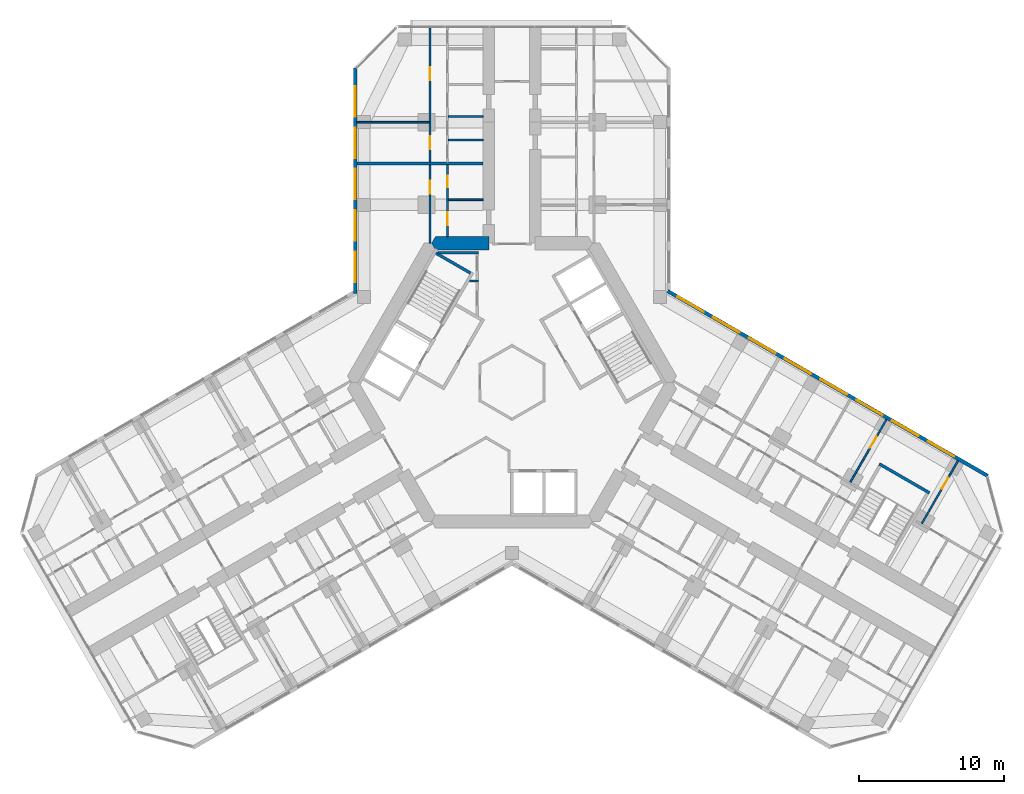
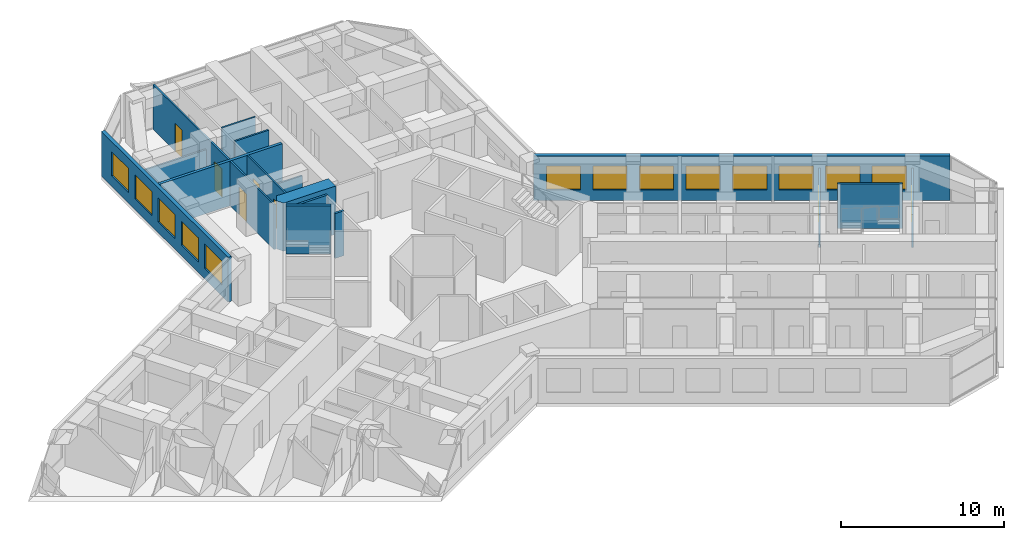
# One storey, part 16 of 19: 17 walls, 13 windows, 7 doors, 20 openings.
"""IFC4 building model written with IfcOpenShell, lengths in metres."""

from ifc_helpers import new_model, si_unit, direction, frame, frame_2d, origin, place, context, subcontext, project, spatial, polyline, rectangle, outline, extrude, material, layer, layer_set, type_object, element, fill, save


model = new_model("IFC4")

# Units and contexts
model_context = context("Model", 3, precision=1e-05, world=origin(), true_north=direction((0.0, 1.0)))
body_context = subcontext(model_context, "Body", "Model", "MODEL_VIEW")
ifc_project = project(units=[si_unit("LENGTHUNIT", "METRE"), si_unit("AREAUNIT", "SQUARE_METRE"), si_unit("VOLUMEUNIT", "CUBIC_METRE"), si_unit("PLANEANGLEUNIT", "RADIAN"), si_unit("MASSUNIT", "GRAM", prefix="KILO")], contexts=[model_context])

# Site, building, storey
site_placement = place(None, origin())
site = spatial("IfcSite", under=ifc_project, at=site_placement, CompositionType="ELEMENT")
building_placement = place(site_placement, origin())
building = spatial("IfcBuilding", under=site, at=building_placement, Name="Kosmar Iwan School Tower", CompositionType="ELEMENT")
storey_placement = place(building_placement, frame((0.0, 0.0, 138.199951171875)))
storey = spatial("IfcBuildingStorey", under=building, at=storey_placement, Name="L34", CompositionType="ELEMENT", Elevation=138.199951171875)

# Walls
ifc_material_1 = material(Name="Gypsum board on steel studs, fire-rated", Category="steel")
ifc_layer_1 = layer(ifc_material_1, 0.14990234375)
ifc_layer_set_1 = layer_set([ifc_layer_1], Name="Core room partition 150")
wall_type_1 = type_object("IfcWallType", Name="Core room partition 150", PredefinedType="PARTITIONING", material=ifc_layer_set_1)
wall_1_placement = place(storey_placement, frame((-2.324951171875, 6.985107421875, 0.0), z_axis=(0.0, 0.0, 1.0), x_axis=(-1.0, 0.0, 0.0)))
element("IfcWall", 1, at=wall_1_placement, inside=storey, type_object=wall_type_1, Name="Core room partition L34-CW2", PredefinedType="PARTITIONING", context=body_context, shape_type="SweptSolid", body=[
    extrude(rectangle(XDim=0.623779296875, YDim=0.14990234375, at=frame_2d((0.31201171875, 0.0))), origin(), (0.0, 0.0, 1.0), 3.35009765625),
])
wall_2_placement = place(storey_placement, frame((-5.089599609375, 8.93994140625, 0.0), z_axis=(0.0, 0.0, 1.0), x_axis=(1.0, 0.0, 0.0)))
element("IfcWall", 2, at=wall_2_placement, inside=storey, type_object=wall_type_1, Name="Core room partition L34-CW3", PredefinedType="PARTITIONING", context=body_context, shape_type="SweptSolid", body=[
    extrude(rectangle(XDim=2.7646484375, YDim=0.14990234375, at=frame_2d((1.38232421875, 0.0))), origin(), (0.0, 0.0, 1.0), 3.35009765625),
])
ifc_material_2 = material(Name="Concrete C50/60", Category="concrete")
ifc_layer_2 = layer(ifc_material_2, 0.89990234375)
ifc_layer_set_2 = layer_set([ifc_layer_2], Name="Core wall 900")
wall_type_2 = type_object("IfcWallType", Name="Core wall 900", PredefinedType="SHEAR", material=ifc_layer_set_2)
wall_3_placement = place(storey_placement, origin())
element("IfcWall", 3, at=wall_3_placement, inside=storey, type_object=wall_type_2, Name="Core wall F090b", PredefinedType="SHEAR", context=body_context, shape_type="SweptSolid", body=[
    extrude(outline(polyline([(-5.28271484375, 9.14990234375), (-1.60009765625, 9.14990234375), (-1.60009765625, 10.050048828125), (-5.28271484375, 10.050048828125), (-5.54248046875, 9.60009765625), (-5.28271484375, 9.14990234375)])), origin(), (0.0, 0.0, 1.0), 3.60009765625),
])

# Wall, openings, doors
ifc_material_3 = material(Name="Gypsum board on steel studs", Category="steel")
ifc_layer_3 = layer(ifc_material_3, 0.1201171875)
ifc_layer_set_3 = layer_set([ifc_layer_3], Name="Dwelling partition 120")
wall_type_3 = type_object("IfcWallType", Name="Dwelling partition 120", PredefinedType="PARTITIONING", material=ifc_layer_set_3)
wall_4_placement = place(storey_placement, frame((-4.449951171875, 10.050048828125, 0.0), z_axis=(0.0, 0.0, 1.0), x_axis=(0.0, 1.0, 0.0)))
wall_4 = element("IfcWall", 4, at=wall_4_placement, inside=storey, type_object=wall_type_3, Name="Partition L34-AL1-W1", PredefinedType="PARTITIONING", context=body_context, shape_type="SweptSolid", body=[
    extrude(rectangle(XDim=4.949951171875, YDim=0.1201171875, at=frame_2d((2.47509765625, 0.0))), origin(), (0.0, 0.0, 1.0), 3.35009765625),
])
opening_1_placement = place(wall_4_placement, frame((0.800048828125, 0.0, 0.0)))
opening_1 = element("IfcOpeningElement", 5, at=opening_1_placement, cuts=wall_4, Name="Opening D2", PredefinedType="OPENING", context=body_context, shape_type="SweptSolid", body=[
    extrude(rectangle(XDim=0.89990234375, YDim=2.10009765625, at=frame_2d((0.449951171875, 1.050048828125))), frame((0.0, 0.072021484375, 0.0), z_axis=(0.0, -1.0, 0.0), x_axis=(1.0, 0.0, 0.0)), (0.0, 0.0, 1.0), 0.14404296875),
])
opening_2_placement = place(wall_4_placement, frame((3.39990234375, 0.0, 0.0)))
opening_2 = element("IfcOpeningElement", 6, at=opening_2_placement, cuts=wall_4, Name="Opening D3", PredefinedType="OPENING", context=body_context, shape_type="SweptSolid", body=[
    extrude(rectangle(XDim=0.800048828125, YDim=2.10009765625, at=frame_2d((0.39990234375, 1.050048828125))), frame((0.0, 0.072021484375, 0.0), z_axis=(0.0, -1.0, 0.0), x_axis=(1.0, 0.0, 0.0)), (0.0, 0.0, 1.0), 0.14404296875),
])
ifc_material_4 = material(Name="Timber door in timber frame", Category="wood")
door_type_1 = type_object("IfcDoorType", Name="Internal door 900x2100", OperationType="SINGLE_SWING_LEFT", PredefinedType="DOOR", material=ifc_material_4)
door_1_placement = place(opening_1_placement, origin())
door_1 = element("IfcDoor", 7, at=door_1_placement, inside=storey, type_object=door_type_1, Name="Entrance hall door L34-AL1-S1", OperationType="SINGLE_SWING_LEFT", OverallHeight=2.10009765625, OverallWidth=0.89990234375, PredefinedType="DOOR", context=body_context, shape_type="SweptSolid", body=[
    extrude(rectangle(XDim=0.89990234375, YDim=2.10009765625, at=frame_2d((0.449951171875, 1.050048828125))), frame((0.0, 0.02490234375, 0.0), z_axis=(0.0, -1.0, 0.0), x_axis=(1.0, 0.0, 0.0)), (0.0, 0.0, 1.0), 0.050048828125),
])
fill(opening_1, door_1)
ifc_material_5 = material(Name="Timber door in timber frame", Category="wood")
door_type_2 = type_object("IfcDoorType", Name="Sanitary room door 800x2100", OperationType="SINGLE_SWING_LEFT", PredefinedType="DOOR", material=ifc_material_5)
door_2_placement = place(opening_2_placement, origin())
door_2 = element("IfcDoor", 8, at=door_2_placement, inside=storey, type_object=door_type_2, Name="Bathroom door L34-AL1-S2", OperationType="SINGLE_SWING_RIGHT", OverallHeight=2.10009765625, OverallWidth=0.800048828125, PredefinedType="DOOR", context=body_context, shape_type="SweptSolid", body=[
    extrude(rectangle(XDim=0.800048828125, YDim=2.10009765625, at=frame_2d((0.39990234375, 1.050048828125))), frame((0.0, 0.02490234375, 0.0), z_axis=(0.0, -1.0, 0.0), x_axis=(1.0, 0.0, 0.0)), (0.0, 0.0, 1.0), 0.050048828125),
])
fill(opening_2, door_2)

# Wall, opening, door
wall_5_placement = place(storey_placement, frame((-5.64990234375, 9.60009765625, 0.0), z_axis=(0.0, 0.0, 1.0), x_axis=(0.0, 1.0, 0.0)))
wall_5 = element("IfcWall", 9, at=wall_5_placement, inside=storey, type_object=wall_type_3, Name="Partition L34-AL1-W2", PredefinedType="PARTITIONING", context=body_context, shape_type="SweptSolid", body=[
    extrude(rectangle(XDim=5.39990234375, YDim=0.1201171875, at=frame_2d((2.699951171875, 0.0))), origin(), (0.0, 0.0, 1.0), 3.35009765625),
])
opening_3_placement = place(wall_5_placement, frame((3.39990234375, 0.0, 0.0)))
opening_3 = element("IfcOpeningElement", 10, at=opening_3_placement, cuts=wall_5, Name="Opening D2", PredefinedType="OPENING", context=body_context, shape_type="SweptSolid", body=[
    extrude(rectangle(XDim=0.89990234375, YDim=2.10009765625, at=frame_2d((0.449951171875, 1.050048828125))), frame((0.0, 0.072021484375, 0.0), z_axis=(0.0, -1.0, 0.0), x_axis=(1.0, 0.0, 0.0)), (0.0, 0.0, 1.0), 0.14404296875),
])
door_3_placement = place(opening_3_placement, origin())
door_3 = element("IfcDoor", 11, at=door_3_placement, inside=storey, type_object=door_type_1, Name="Studio living room and kitchen door L34-AL1-F1", OperationType="SINGLE_SWING_RIGHT", OverallHeight=2.10009765625, OverallWidth=0.89990234375, PredefinedType="DOOR", context=body_context, shape_type="SweptSolid", body=[
    extrude(rectangle(XDim=0.89990234375, YDim=2.10009765625, at=frame_2d((0.449951171875, 1.050048828125))), frame((0.0, 0.02490234375, 0.0), z_axis=(0.0, -1.0, 0.0), x_axis=(1.0, 0.0, 0.0)), (0.0, 0.0, 1.0), 0.050048828125),
])
fill(opening_3, door_3)

# Wall
wall_6_placement = place(storey_placement, frame((-2.0, 12.60009765625, 0.0), z_axis=(0.0, 0.0, 1.0), x_axis=(-1.0, 0.0, 0.0)))
element("IfcWall", 12, at=wall_6_placement, inside=storey, type_object=wall_type_3, Name="Partition L34-AL1-Y1", PredefinedType="PARTITIONING", context=body_context, shape_type="SweptSolid", body=[
    extrude(rectangle(XDim=2.389892578125, YDim=0.1201171875, at=frame_2d((1.19482421875, 0.0))), origin(), (0.0, 0.0, 1.0), 2.449951171875),
])

# Wall, openings, doors
wall_7_placement = place(storey_placement, frame((-5.64990234375, 15.199951171875, 0.0), z_axis=(0.0, 0.0, 1.0), x_axis=(0.0, 1.0, 0.0)))
wall_7 = element("IfcWall", 13, at=wall_7_placement, inside=storey, type_object=wall_type_3, Name="Partition L34-AL2-W2", PredefinedType="PARTITIONING", context=body_context, shape_type="SweptSolid", body=[
    extrude(rectangle(XDim=9.2451171875, YDim=0.1201171875, at=frame_2d((4.62255859375, 0.0))), origin(), (0.0, 0.0, 1.0), 3.35009765625),
])
opening_4_placement = place(wall_7_placement, frame((0.875, 0.0, 0.0)))
opening_4 = element("IfcOpeningElement", 14, at=opening_4_placement, cuts=wall_7, Name="Opening D2", PredefinedType="OPENING", context=body_context, shape_type="SweptSolid", body=[
    extrude(rectangle(XDim=0.89990234375, YDim=2.10009765625, at=frame_2d((0.449951171875, 1.050048828125))), frame((0.0, 0.072021484375, 0.0), z_axis=(0.0, -1.0, 0.0), x_axis=(1.0, 0.0, 0.0)), (0.0, 0.0, 1.0), 0.14404296875),
])
opening_5_placement = place(wall_7_placement, frame((5.64990234375, 0.0, 0.0)))
opening_5 = element("IfcOpeningElement", 15, at=opening_5_placement, cuts=wall_7, Name="Opening D2", PredefinedType="OPENING", context=body_context, shape_type="SweptSolid", body=[
    extrude(rectangle(XDim=0.89990234375, YDim=2.10009765625, at=frame_2d((0.449951171875, 1.050048828125))), frame((0.0, 0.072021484375, 0.0), z_axis=(0.0, -1.0, 0.0), x_axis=(1.0, 0.0, 0.0)), (0.0, 0.0, 1.0), 0.14404296875),
])
door_4_placement = place(opening_4_placement, origin())
door_4 = element("IfcDoor", 16, at=door_4_placement, inside=storey, type_object=door_type_1, Name="Bedroom 1 door L34-AL2-F1", OperationType="SINGLE_SWING_RIGHT", OverallHeight=2.10009765625, OverallWidth=0.89990234375, PredefinedType="DOOR", context=body_context, shape_type="SweptSolid", body=[
    extrude(rectangle(XDim=0.89990234375, YDim=2.10009765625, at=frame_2d((0.449951171875, 1.050048828125))), frame((0.0, 0.02490234375, 0.0), z_axis=(0.0, -1.0, 0.0), x_axis=(1.0, 0.0, 0.0)), (0.0, 0.0, 1.0), 0.050048828125),
])
fill(opening_4, door_4)
door_5_placement = place(opening_5_placement, origin())
door_5 = element("IfcDoor", 17, at=door_5_placement, inside=storey, type_object=door_type_1, Name="Family room and kitchen door L34-AL2-F2", OperationType="SINGLE_SWING_RIGHT", OverallHeight=2.10009765625, OverallWidth=0.89990234375, PredefinedType="DOOR", context=body_context, shape_type="SweptSolid", body=[
    extrude(rectangle(XDim=0.89990234375, YDim=2.10009765625, at=frame_2d((0.449951171875, 1.050048828125))), frame((0.0, 0.02490234375, 0.0), z_axis=(0.0, -1.0, 0.0), x_axis=(1.0, 0.0, 0.0)), (0.0, 0.0, 1.0), 0.050048828125),
])
fill(opening_5, door_5)

# Walls
wall_8_placement = place(storey_placement, frame((-5.7099609375, 17.949951171875, 0.0), z_axis=(0.0, 0.0, 1.0), x_axis=(-1.0, 0.0, 0.0)))
element("IfcWall", 18, at=wall_8_placement, inside=storey, type_object=wall_type_3, Name="Partition L34-AL2-X1", PredefinedType="PARTITIONING", context=body_context, shape_type="SweptSolid", body=[
    extrude(rectangle(XDim=4.989990234375, YDim=0.1201171875, at=frame_2d((2.4951171875, 0.0))), origin(), (0.0, 0.0, 1.0), 2.449951171875),
])
for number, where, z_axis, x_axis, name in (
    (19, (-2.0, 16.72509765625, 0.0), (0.0, 0.0, 1.0), (-1.0, 0.0, 0.0), "Partition L34-AL2-Y1"),
    (20, (-2.0, 18.35009765625, 0.0), (0.0, 0.0, 1.0), (-1.0, 0.0, 0.0), "Partition L34-AL2-Y2"),
):
    element("IfcWall", number, at=place(storey_placement, frame(where, z_axis=z_axis, x_axis=x_axis)), inside=storey, type_object=wall_type_3, Name=name, PredefinedType="PARTITIONING", context=body_context, shape_type="SweptSolid", body=[
        extrude(rectangle(XDim=2.389892578125, YDim=0.1201171875, at=frame_2d((1.19482421875, 0.0))), origin(), (0.0, 0.0, 1.0), 3.35009765625),
    ])

# Wall, opening, door
wall_9_placement = place(storey_placement, frame((23.33642578125, -6.8798828125, 0.0), z_axis=(0.0, 0.0, 1.0), x_axis=(0.500033033937, 0.866006330792, 0.0)))
wall_9 = element("IfcWall", 21, at=wall_9_placement, inside=storey, type_object=wall_type_3, Name="Partition L34-CL2-TB", PredefinedType="PARTITIONING", context=body_context, shape_type="SweptSolid", body=[
    extrude(rectangle(XDim=4.989990234375, YDim=0.1201171875, at=frame_2d((2.4951171875, 0.0))), origin(), (0.0, 0.0, 1.0), 2.449951171875),
])
opening_6_placement = place(wall_9_placement, frame((2.739990234375, 0.0, 0.0)))
opening_6 = element("IfcOpeningElement", 22, at=opening_6_placement, cuts=wall_9, Name="Opening D2", PredefinedType="OPENING", context=body_context, shape_type="SweptSolid", body=[
    extrude(rectangle(XDim=0.89990234375, YDim=2.10009765625, at=frame_2d((0.449951171875, 1.050048828125))), frame((0.0, 0.072021484375, 0.0), z_axis=(0.0, -1.0, 0.0), x_axis=(1.0, 0.0, 0.0)), (0.0, 0.0, 1.0), 0.14404296875),
])
door_6_placement = place(opening_6_placement, origin())
door_6 = element("IfcDoor", 23, at=door_6_placement, inside=storey, type_object=door_type_1, Name="Study door L34-CL2-F2", OperationType="SINGLE_SWING_RIGHT", OverallHeight=2.10009765625, OverallWidth=0.89990234375, PredefinedType="DOOR", context=body_context, shape_type="SweptSolid", body=[
    extrude(rectangle(XDim=0.89990234375, YDim=2.10009765625, at=frame_2d((0.449951171875, 1.050048828125))), frame((0.0, 0.02490234375, 0.0), z_axis=(0.0, -1.0, 0.0), x_axis=(1.0, 0.0, 0.0)), (0.0, 0.0, 1.0), 0.050048828125),
])
fill(opening_6, door_6)

wall_10_placement = place(storey_placement, frame((28.27294921875, -9.72998046875, 0.0), z_axis=(0.0, 0.0, 1.0), x_axis=(0.499975153383, 0.86603974851, 0.0)))
wall_10 = element("IfcWall", 24, at=wall_10_placement, inside=storey, type_object=wall_type_3, Name="Partition L34-CL2-TX", PredefinedType="PARTITIONING", context=body_context, shape_type="SweptSolid", body=[
    extrude(rectangle(XDim=4.989990234375, YDim=0.1201171875, at=frame_2d((2.4951171875, 0.0))), origin(), (0.0, 0.0, 1.0), 2.449951171875),
])
opening_7_placement = place(wall_10_placement, frame((2.739990234375, 0.0, 0.0)))
opening_7 = element("IfcOpeningElement", 25, at=opening_7_placement, cuts=wall_10, Name="Opening D2", PredefinedType="OPENING", context=body_context, shape_type="SweptSolid", body=[
    extrude(rectangle(XDim=0.89990234375, YDim=2.10009765625, at=frame_2d((0.449951171875, 1.050048828125))), frame((0.0, 0.072021484375, 0.0), z_axis=(0.0, -1.0, 0.0), x_axis=(1.0, 0.0, 0.0)), (0.0, 0.0, 1.0), 0.14404296875),
])
door_7_placement = place(opening_7_placement, origin())
door_7 = element("IfcDoor", 26, at=door_7_placement, inside=storey, type_object=door_type_1, Name="Study door L34-CL2-T1", OperationType="SINGLE_SWING_RIGHT", OverallHeight=2.10009765625, OverallWidth=0.89990234375, PredefinedType="DOOR", context=body_context, shape_type="SweptSolid", body=[
    extrude(rectangle(XDim=0.89990234375, YDim=2.10009765625, at=frame_2d((0.449951171875, 1.050048828125))), frame((0.0, 0.02490234375, 0.0), z_axis=(0.0, -1.0, 0.0), x_axis=(1.0, 0.0, 0.0)), (0.0, 0.0, 1.0), 0.050048828125),
])
fill(opening_7, door_7)

# Wall
ifc_material_6 = material(Name="Concrete C35/45", Category="concrete")
ifc_layer_4 = layer(ifc_material_6, 0.199951171875)
ifc_layer_set_4 = layer_set([ifc_layer_4], Name="Escape stair wall 200")
wall_type_4 = type_object("IfcWallType", Name="Escape stair wall 200", PredefinedType="SHEAR", material=ifc_layer_set_4)
wall_11_placement = place(storey_placement, frame((25.334228515625, -5.6201171875, 0.0), z_axis=(0.0, 0.0, 1.0), x_axis=(0.866026010844, -0.49999894854, 0.0)))
element("IfcWall", 27, at=wall_11_placement, inside=storey, type_object=wall_type_4, Name="Stair WS3 wall", PredefinedType="SHEAR", context=body_context, shape_type="SweptSolid", body=[
    extrude(rectangle(XDim=4.0, YDim=0.199951171875, at=frame_2d((2.0, 0.0))), origin(), (0.0, 0.0, 1.0), 3.330078125),
])

# Wall, openings, windows
ifc_material_7 = material(Name="Black aluminium rainscreen on insulated framing", Category="aluminium")
ifc_layer_5 = layer(ifc_material_7, 0.25)
ifc_layer_set_5 = layer_set([ifc_layer_5], Name="External wall rainscreen 250")
wall_type_5 = type_object("IfcWallType", Name="External wall rainscreen 250", PredefinedType="SOLIDWALL", material=ifc_layer_set_5)
wall_12_placement = place(storey_placement, frame((10.73681640625, 6.30078125, 0.0), z_axis=(0.0, 0.0, 1.0), x_axis=(0.866026390279, -0.499998291337, 0.0)))
wall_12 = element("IfcWall", 28, at=wall_12_placement, inside=storey, type_object=wall_type_5, Name="External wall CL L34", PredefinedType="SOLIDWALL", context=body_context, shape_type="SweptSolid", body=[
    extrude(rectangle(XDim=25.4873046875, YDim=0.25, at=frame_2d((12.74365234375, 0.0))), origin(), (0.0, 0.0, 1.0), 3.35009765625),
])
opening_8_placement = place(wall_12_placement, frame((0.777099609375, 0.0, 0.800048828125)))
opening_8 = element("IfcOpeningElement", 29, at=opening_8_placement, cuts=wall_12, Name="Opening W4", PredefinedType="OPENING", context=body_context, shape_type="SweptSolid", body=[
    extrude(rectangle(XDim=2.10009765625, YDim=1.800048828125, at=frame_2d((1.050048828125, 0.89990234375))), frame((0.0, 0.136962890625, 0.0), z_axis=(0.0, -1.0, 0.0), x_axis=(1.0, 0.0, 0.0)), (0.0, 0.0, 1.0), 0.27392578125),
])
opening_9_placement = place(wall_12_placement, frame((3.626953125, 0.0, 0.800048828125)))
opening_9 = element("IfcOpeningElement", 30, at=opening_9_placement, cuts=wall_12, Name="Opening W4", PredefinedType="OPENING", context=body_context, shape_type="SweptSolid", body=[
    extrude(rectangle(XDim=2.10009765625, YDim=1.800048828125, at=frame_2d((1.050048828125, 0.89990234375))), frame((0.0, 0.136962890625, 0.0), z_axis=(0.0, -1.0, 0.0), x_axis=(1.0, 0.0, 0.0)), (0.0, 0.0, 1.0), 0.27392578125),
])
opening_10_placement = place(wall_12_placement, frame((6.47705078125, 0.0, 0.800048828125)))
opening_10 = element("IfcOpeningElement", 31, at=opening_10_placement, cuts=wall_12, Name="Opening W4", PredefinedType="OPENING", context=body_context, shape_type="SweptSolid", body=[
    extrude(rectangle(XDim=2.10009765625, YDim=1.800048828125, at=frame_2d((1.050048828125, 0.89990234375))), frame((0.0, 0.136962890625, 0.0), z_axis=(0.0, -1.0, 0.0), x_axis=(1.0, 0.0, 0.0)), (0.0, 0.0, 1.0), 0.27392578125),
])
opening_11_placement = place(wall_12_placement, frame((9.326904296875, 0.0, 0.800048828125)))
opening_11 = element("IfcOpeningElement", 32, at=opening_11_placement, cuts=wall_12, Name="Opening W4", PredefinedType="OPENING", context=body_context, shape_type="SweptSolid", body=[
    extrude(rectangle(XDim=2.10009765625, YDim=1.800048828125, at=frame_2d((1.050048828125, 0.89990234375))), frame((0.0, 0.136962890625, 0.0), z_axis=(0.0, -1.0, 0.0), x_axis=(1.0, 0.0, 0.0)), (0.0, 0.0, 1.0), 0.27392578125),
])
opening_12_placement = place(wall_12_placement, frame((12.177001953125, 0.0, 0.800048828125)))
opening_12 = element("IfcOpeningElement", 33, at=opening_12_placement, cuts=wall_12, Name="Opening W4", PredefinedType="OPENING", context=body_context, shape_type="SweptSolid", body=[
    extrude(rectangle(XDim=2.10009765625, YDim=1.800048828125, at=frame_2d((1.050048828125, 0.89990234375))), frame((0.0, 0.136962890625, 0.0), z_axis=(0.0, -1.0, 0.0), x_axis=(1.0, 0.0, 0.0)), (0.0, 0.0, 1.0), 0.27392578125),
])
opening_13_placement = place(wall_12_placement, frame((15.027099609375, 0.0, 0.800048828125)))
opening_13 = element("IfcOpeningElement", 34, at=opening_13_placement, cuts=wall_12, Name="Opening W4", PredefinedType="OPENING", context=body_context, shape_type="SweptSolid", body=[
    extrude(rectangle(XDim=2.10009765625, YDim=1.800048828125, at=frame_2d((1.050048828125, 0.89990234375))), frame((0.0, 0.136962890625, 0.0), z_axis=(0.0, -1.0, 0.0), x_axis=(1.0, 0.0, 0.0)), (0.0, 0.0, 1.0), 0.27392578125),
])
opening_14_placement = place(wall_12_placement, frame((17.876953125, 0.0, 0.800048828125)))
opening_14 = element("IfcOpeningElement", 35, at=opening_14_placement, cuts=wall_12, Name="Opening W4", PredefinedType="OPENING", context=body_context, shape_type="SweptSolid", body=[
    extrude(rectangle(XDim=2.10009765625, YDim=1.800048828125, at=frame_2d((1.050048828125, 0.89990234375))), frame((0.0, 0.136962890625, 0.0), z_axis=(0.0, -1.0, 0.0), x_axis=(1.0, 0.0, 0.0)), (0.0, 0.0, 1.0), 0.27392578125),
])
opening_15_placement = place(wall_12_placement, frame((20.72705078125, 0.0, 0.800048828125)))
opening_15 = element("IfcOpeningElement", 36, at=opening_15_placement, cuts=wall_12, Name="Opening W4", PredefinedType="OPENING", context=body_context, shape_type="SweptSolid", body=[
    extrude(rectangle(XDim=2.10009765625, YDim=1.800048828125, at=frame_2d((1.050048828125, 0.89990234375))), frame((0.0, 0.136962890625, 0.0), z_axis=(0.0, -1.0, 0.0), x_axis=(1.0, 0.0, 0.0)), (0.0, 0.0, 1.0), 0.27392578125),
])
ifc_material_8 = material(Name="Black aluminium frame with dark triple glazing", Category="aluminium")
window_type = type_object("IfcWindowType", Name="Window 2100x1800", PartitioningType="SINGLE_PANEL", PredefinedType="WINDOW", material=ifc_material_8)
window_1_placement = place(opening_8_placement, origin())
window_1 = element("IfcWindow", 37, at=window_1_placement, inside=storey, type_object=window_type, Name="Window CL L34 -1", OverallHeight=1.800048828125, OverallWidth=2.10009765625, PartitioningType="SINGLE_PANEL", PredefinedType="WINDOW", context=body_context, shape_type="SweptSolid", body=[
    extrude(rectangle(XDim=2.10009765625, YDim=1.800048828125, at=frame_2d((1.050048828125, 0.89990234375))), frame((0.0, 0.030029296875, 0.0), z_axis=(0.0, -1.0, 0.0), x_axis=(1.0, 0.0, 0.0)), (0.0, 0.0, 1.0), 0.06005859375),
])
fill(opening_8, window_1)
window_2_placement = place(opening_9_placement, origin())
window_2 = element("IfcWindow", 38, at=window_2_placement, inside=storey, type_object=window_type, Name="Window CL L34 0", OverallHeight=1.800048828125, OverallWidth=2.10009765625, PartitioningType="SINGLE_PANEL", PredefinedType="WINDOW", context=body_context, shape_type="SweptSolid", body=[
    extrude(rectangle(XDim=2.10009765625, YDim=1.800048828125, at=frame_2d((1.050048828125, 0.89990234375))), frame((0.0, 0.030029296875, 0.0), z_axis=(0.0, -1.0, 0.0), x_axis=(1.0, 0.0, 0.0)), (0.0, 0.0, 1.0), 0.06005859375),
])
fill(opening_9, window_2)
window_3_placement = place(opening_10_placement, origin())
window_3 = element("IfcWindow", 39, at=window_3_placement, inside=storey, type_object=window_type, Name="Window CL L34 1", OverallHeight=1.800048828125, OverallWidth=2.10009765625, PartitioningType="SINGLE_PANEL", PredefinedType="WINDOW", context=body_context, shape_type="SweptSolid", body=[
    extrude(rectangle(XDim=2.10009765625, YDim=1.800048828125, at=frame_2d((1.050048828125, 0.89990234375))), frame((0.0, 0.030029296875, 0.0), z_axis=(0.0, -1.0, 0.0), x_axis=(1.0, 0.0, 0.0)), (0.0, 0.0, 1.0), 0.06005859375),
])
fill(opening_10, window_3)
window_4_placement = place(opening_11_placement, origin())
window_4 = element("IfcWindow", 40, at=window_4_placement, inside=storey, type_object=window_type, Name="Window CL L34 2", OverallHeight=1.800048828125, OverallWidth=2.10009765625, PartitioningType="SINGLE_PANEL", PredefinedType="WINDOW", context=body_context, shape_type="SweptSolid", body=[
    extrude(rectangle(XDim=2.10009765625, YDim=1.800048828125, at=frame_2d((1.050048828125, 0.89990234375))), frame((0.0, 0.030029296875, 0.0), z_axis=(0.0, -1.0, 0.0), x_axis=(1.0, 0.0, 0.0)), (0.0, 0.0, 1.0), 0.06005859375),
])
fill(opening_11, window_4)
window_5_placement = place(opening_12_placement, origin())
window_5 = element("IfcWindow", 41, at=window_5_placement, inside=storey, type_object=window_type, Name="Window CL L34 3", OverallHeight=1.800048828125, OverallWidth=2.10009765625, PartitioningType="SINGLE_PANEL", PredefinedType="WINDOW", context=body_context, shape_type="SweptSolid", body=[
    extrude(rectangle(XDim=2.10009765625, YDim=1.800048828125, at=frame_2d((1.050048828125, 0.89990234375))), frame((0.0, 0.030029296875, 0.0), z_axis=(0.0, -1.0, 0.0), x_axis=(1.0, 0.0, 0.0)), (0.0, 0.0, 1.0), 0.06005859375),
])
fill(opening_12, window_5)
window_6_placement = place(opening_13_placement, origin())
window_6 = element("IfcWindow", 42, at=window_6_placement, inside=storey, type_object=window_type, Name="Window CL L34 4", OverallHeight=1.800048828125, OverallWidth=2.10009765625, PartitioningType="SINGLE_PANEL", PredefinedType="WINDOW", context=body_context, shape_type="SweptSolid", body=[
    extrude(rectangle(XDim=2.10009765625, YDim=1.800048828125, at=frame_2d((1.050048828125, 0.89990234375))), frame((0.0, 0.030029296875, 0.0), z_axis=(0.0, -1.0, 0.0), x_axis=(1.0, 0.0, 0.0)), (0.0, 0.0, 1.0), 0.06005859375),
])
fill(opening_13, window_6)
window_7_placement = place(opening_14_placement, origin())
window_7 = element("IfcWindow", 43, at=window_7_placement, inside=storey, type_object=window_type, Name="Window CL L34 5", OverallHeight=1.800048828125, OverallWidth=2.10009765625, PartitioningType="SINGLE_PANEL", PredefinedType="WINDOW", context=body_context, shape_type="SweptSolid", body=[
    extrude(rectangle(XDim=2.10009765625, YDim=1.800048828125, at=frame_2d((1.050048828125, 0.89990234375))), frame((0.0, 0.030029296875, 0.0), z_axis=(0.0, -1.0, 0.0), x_axis=(1.0, 0.0, 0.0)), (0.0, 0.0, 1.0), 0.06005859375),
])
fill(opening_14, window_7)
window_8_placement = place(opening_15_placement, origin())
window_8 = element("IfcWindow", 44, at=window_8_placement, inside=storey, type_object=window_type, Name="Window CL L34 6", OverallHeight=1.800048828125, OverallWidth=2.10009765625, PartitioningType="SINGLE_PANEL", PredefinedType="WINDOW", context=body_context, shape_type="SweptSolid", body=[
    extrude(rectangle(XDim=2.10009765625, YDim=1.800048828125, at=frame_2d((1.050048828125, 0.89990234375))), frame((0.0, 0.030029296875, 0.0), z_axis=(0.0, -1.0, 0.0), x_axis=(1.0, 0.0, 0.0)), (0.0, 0.0, 1.0), 0.06005859375),
])
fill(opening_15, window_8)

wall_13_placement = place(storey_placement, frame((-10.824951171875, 6.14794921875, 0.0), z_axis=(0.0, 0.0, 1.0), x_axis=(0.0, 1.0, 0.0)))
wall_13 = element("IfcWall", 45, at=wall_13_placement, inside=storey, type_object=wall_type_5, Name="External wall AL L34", PredefinedType="SOLIDWALL", context=body_context, shape_type="SweptSolid", body=[
    extrude(rectangle(XDim=15.537353515625, YDim=0.25, at=frame_2d((7.7685546875, 0.0))), origin(), (0.0, 0.0, 1.0), 3.35009765625),
])
opening_16_placement = place(wall_13_placement, frame((0.777099609375, 0.0, 0.800048828125)))
opening_16 = element("IfcOpeningElement", 46, at=opening_16_placement, cuts=wall_13, Name="Opening W4", PredefinedType="OPENING", context=body_context, shape_type="SweptSolid", body=[
    extrude(rectangle(XDim=2.10009765625, YDim=1.800048828125, at=frame_2d((1.050048828125, 0.89990234375))), frame((0.0, 0.136962890625, 0.0), z_axis=(0.0, -1.0, 0.0), x_axis=(1.0, 0.0, 0.0)), (0.0, 0.0, 1.0), 0.27392578125),
])
opening_17_placement = place(wall_13_placement, frame((3.626953125, 0.0, 0.800048828125)))
opening_17 = element("IfcOpeningElement", 47, at=opening_17_placement, cuts=wall_13, Name="Opening W4", PredefinedType="OPENING", context=body_context, shape_type="SweptSolid", body=[
    extrude(rectangle(XDim=2.10009765625, YDim=1.800048828125, at=frame_2d((1.050048828125, 0.89990234375))), frame((0.0, 0.136962890625, 0.0), z_axis=(0.0, -1.0, 0.0), x_axis=(1.0, 0.0, 0.0)), (0.0, 0.0, 1.0), 0.27392578125),
])
opening_18_placement = place(wall_13_placement, frame((6.47705078125, 0.0, 0.800048828125)))
opening_18 = element("IfcOpeningElement", 48, at=opening_18_placement, cuts=wall_13, Name="Opening W4", PredefinedType="OPENING", context=body_context, shape_type="SweptSolid", body=[
    extrude(rectangle(XDim=2.10009765625, YDim=1.800048828125, at=frame_2d((1.050048828125, 0.89990234375))), frame((0.0, 0.136962890625, 0.0), z_axis=(0.0, -1.0, 0.0), x_axis=(1.0, 0.0, 0.0)), (0.0, 0.0, 1.0), 0.27392578125),
])
opening_19_placement = place(wall_13_placement, frame((9.326904296875, 0.0, 0.800048828125)))
opening_19 = element("IfcOpeningElement", 49, at=opening_19_placement, cuts=wall_13, Name="Opening W4", PredefinedType="OPENING", context=body_context, shape_type="SweptSolid", body=[
    extrude(rectangle(XDim=2.10009765625, YDim=1.800048828125, at=frame_2d((1.050048828125, 0.89990234375))), frame((0.0, 0.136962890625, 0.0), z_axis=(0.0, -1.0, 0.0), x_axis=(1.0, 0.0, 0.0)), (0.0, 0.0, 1.0), 0.27392578125),
])
opening_20_placement = place(wall_13_placement, frame((12.177001953125, 0.0, 0.800048828125)))
opening_20 = element("IfcOpeningElement", 50, at=opening_20_placement, cuts=wall_13, Name="Opening W4", PredefinedType="OPENING", context=body_context, shape_type="SweptSolid", body=[
    extrude(rectangle(XDim=2.10009765625, YDim=1.800048828125, at=frame_2d((1.050048828125, 0.89990234375))), frame((0.0, 0.136962890625, 0.0), z_axis=(0.0, -1.0, 0.0), x_axis=(1.0, 0.0, 0.0)), (0.0, 0.0, 1.0), 0.27392578125),
])
window_9_placement = place(opening_16_placement, origin())
window_9 = element("IfcWindow", 51, at=window_9_placement, inside=storey, type_object=window_type, Name="Window AL L34 -1", OverallHeight=1.800048828125, OverallWidth=2.10009765625, PartitioningType="SINGLE_PANEL", PredefinedType="WINDOW", context=body_context, shape_type="SweptSolid", body=[
    extrude(rectangle(XDim=2.10009765625, YDim=1.800048828125, at=frame_2d((1.050048828125, 0.89990234375))), frame((0.0, 0.030029296875, 0.0), z_axis=(0.0, -1.0, 0.0), x_axis=(1.0, 0.0, 0.0)), (0.0, 0.0, 1.0), 0.06005859375),
])
fill(opening_16, window_9)
window_10_placement = place(opening_17_placement, origin())
window_10 = element("IfcWindow", 52, at=window_10_placement, inside=storey, type_object=window_type, Name="Window AL L34 0", OverallHeight=1.800048828125, OverallWidth=2.10009765625, PartitioningType="SINGLE_PANEL", PredefinedType="WINDOW", context=body_context, shape_type="SweptSolid", body=[
    extrude(rectangle(XDim=2.10009765625, YDim=1.800048828125, at=frame_2d((1.050048828125, 0.89990234375))), frame((0.0, 0.030029296875, 0.0), z_axis=(0.0, -1.0, 0.0), x_axis=(1.0, 0.0, 0.0)), (0.0, 0.0, 1.0), 0.06005859375),
])
fill(opening_17, window_10)
window_11_placement = place(opening_18_placement, origin())
window_11 = element("IfcWindow", 53, at=window_11_placement, inside=storey, type_object=window_type, Name="Window AL L34 1", OverallHeight=1.800048828125, OverallWidth=2.10009765625, PartitioningType="SINGLE_PANEL", PredefinedType="WINDOW", context=body_context, shape_type="SweptSolid", body=[
    extrude(rectangle(XDim=2.10009765625, YDim=1.800048828125, at=frame_2d((1.050048828125, 0.89990234375))), frame((0.0, 0.030029296875, 0.0), z_axis=(0.0, -1.0, 0.0), x_axis=(1.0, 0.0, 0.0)), (0.0, 0.0, 1.0), 0.06005859375),
])
fill(opening_18, window_11)
window_12_placement = place(opening_19_placement, origin())
window_12 = element("IfcWindow", 54, at=window_12_placement, inside=storey, type_object=window_type, Name="Window AL L34 2", OverallHeight=1.800048828125, OverallWidth=2.10009765625, PartitioningType="SINGLE_PANEL", PredefinedType="WINDOW", context=body_context, shape_type="SweptSolid", body=[
    extrude(rectangle(XDim=2.10009765625, YDim=1.800048828125, at=frame_2d((1.050048828125, 0.89990234375))), frame((0.0, 0.030029296875, 0.0), z_axis=(0.0, -1.0, 0.0), x_axis=(1.0, 0.0, 0.0)), (0.0, 0.0, 1.0), 0.06005859375),
])
fill(opening_19, window_12)
window_13_placement = place(opening_20_placement, origin())
window_13 = element("IfcWindow", 55, at=window_13_placement, inside=storey, type_object=window_type, Name="Window AL L34 3", OverallHeight=1.800048828125, OverallWidth=2.10009765625, PartitioningType="SINGLE_PANEL", PredefinedType="WINDOW", context=body_context, shape_type="SweptSolid", body=[
    extrude(rectangle(XDim=2.10009765625, YDim=1.800048828125, at=frame_2d((1.050048828125, 0.89990234375))), frame((0.0, 0.030029296875, 0.0), z_axis=(0.0, -1.0, 0.0), x_axis=(1.0, 0.0, 0.0)), (0.0, 0.0, 1.0), 0.06005859375),
])
fill(opening_20, window_13)

# Walls
ifc_material_9 = material(Name="Concrete block masonry", Category="masonry")
ifc_layer_6 = layer(ifc_material_9, 0.199951171875)
ifc_layer_set_6 = layer_set([ifc_layer_6], Name="Party wall 200")
wall_type_6 = type_object("IfcWallType", Name="Party wall 200", PredefinedType="PARTITIONING", material=ifc_layer_set_6)
wall_14_placement = place(storey_placement, frame((-2.0, 15.10009765625, 0.0), z_axis=(0.0, 0.0, 1.0), x_axis=(-1.0, 0.0, 0.0)))
element("IfcWall", 56, at=wall_14_placement, inside=storey, type_object=wall_type_6, Name="Partition L34-AL2-PW", PredefinedType="PARTITIONING", context=body_context, shape_type="SweptSolid", body=[
    extrude(rectangle(XDim=8.699951171875, YDim=0.199951171875, at=frame_2d((4.35009765625, 0.0))), origin(), (0.0, 0.0, 1.0), 3.35009765625),
])
ifc_material_10 = material(Name="Concrete C50/60", Category="concrete")
ifc_layer_7 = layer(ifc_material_10, 0.199951171875)
ifc_layer_set_7 = layer_set([ifc_layer_7], Name="Stair enclosure wall 200")
wall_type_7 = type_object("IfcWallType", Name="Stair enclosure wall 200", PredefinedType="SHEAR", material=ifc_layer_set_7)
wall_15_placement = place(storey_placement, frame((-2.862548828125, 7.541748046875, 0.0), z_axis=(0.0, 0.0, 1.0), x_axis=(-0.866027397988, 0.499996545922, 0.0)))
element("IfcWall", 57, at=wall_15_placement, inside=storey, type_object=wall_type_7, Name="Stair ST2 wall", PredefinedType="SHEAR", context=body_context, shape_type="SweptSolid", body=[
    extrude(rectangle(XDim=2.75, YDim=0.199951171875, at=frame_2d((1.375, 0.0))), origin(), (0.0, 0.0, 1.0), 3.60009765625),
])

save(model, "model.ifc")
